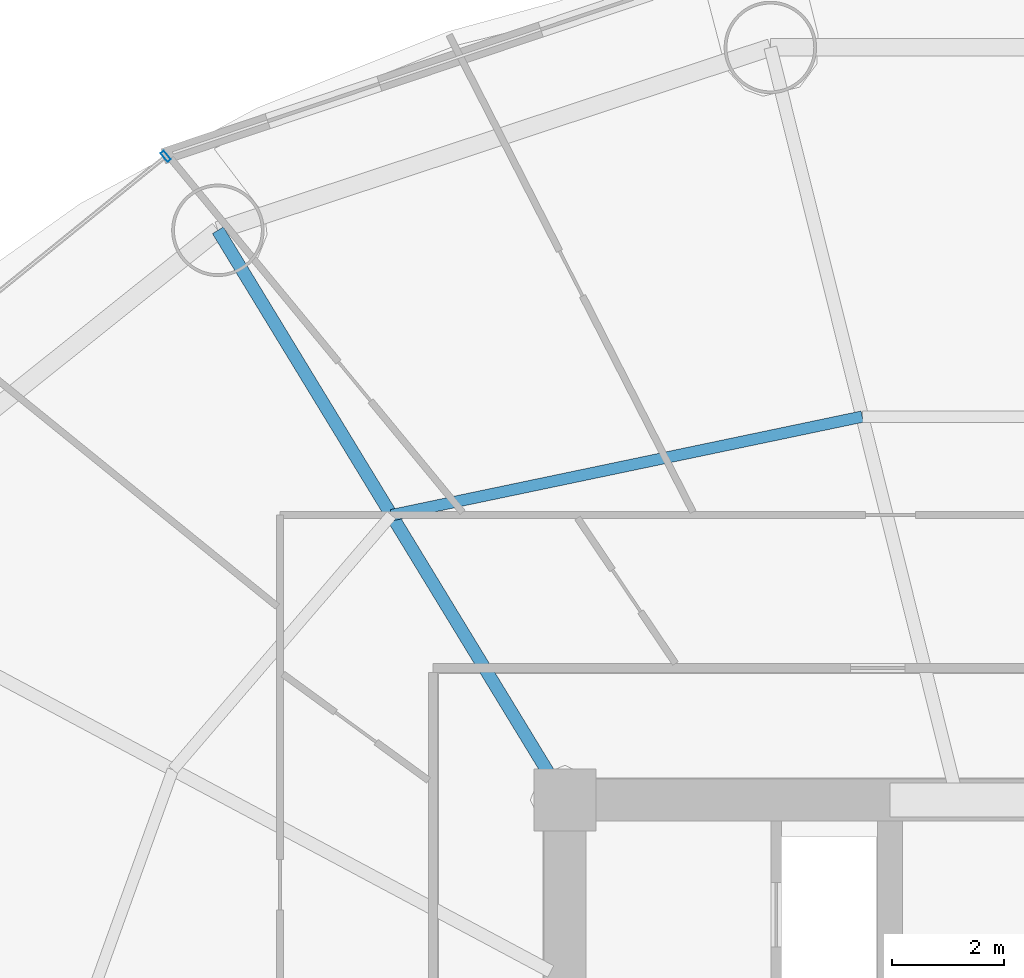
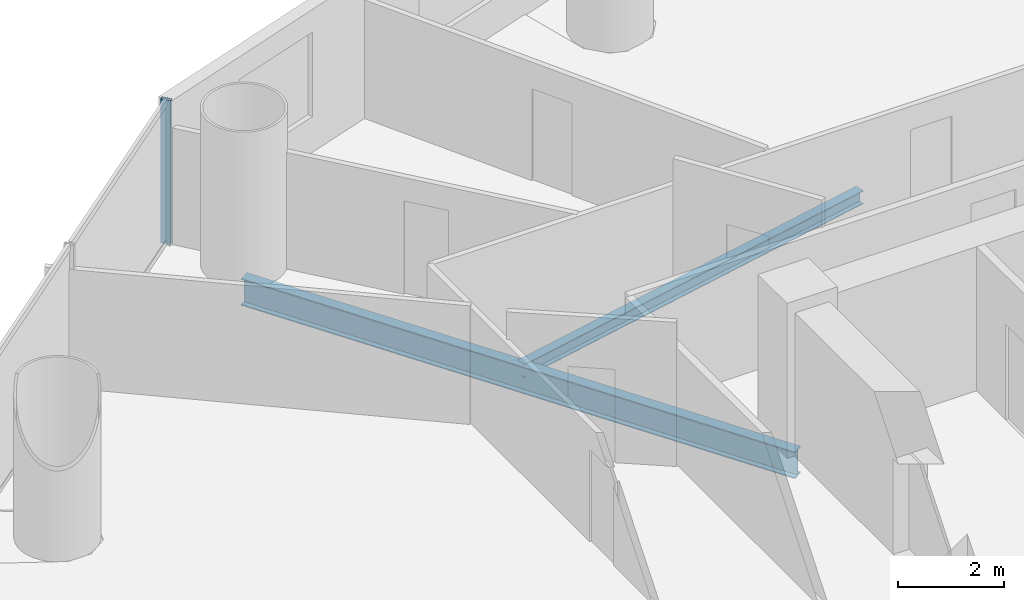
# One storey, part 16 of 30: 2 beams, 1 member, 1 element without a shape of its own.
"""IFC4 building model written with IfcOpenShell, lengths in metres."""

import ifcopenshell
import ifcopenshell.guid

model = None  # the IFC model being written
_history = None  # IfcOwnerHistory: only IFC2X3 demands one
_inside = {}  # id of a spatial element -> (the spatial element, [elements in it])
_under = {}  # id of a project, library or spatial element -> (it, [spatial elements below it])
_declared = {}  # id of a project -> (the project, [libraries it declares])
_typed = {}  # id of a type object -> (the type object, [elements of that type])
_made_of = {}  # id of a material, layer set ... -> (it, [elements and type objects made of it])


def new_model(schema):
    """Start an empty IFC model of exactly this schema.

    Asked for "IFC4X3", IfcOpenShell would pick the latest addendum, in which some entities
    have other attributes; the version numbers below select the first issue.
    IFC2X3 requires an IfcOwnerHistory on every rooted entity: one is made here for all.
    """
    global model, _history
    if schema == "IFC4X3":
        model = ifcopenshell.file(schema_version=(4, 3, 0, 0))
    else:
        model = ifcopenshell.file(schema=schema)
    _inside.clear()
    _under.clear()
    _declared.clear()
    _typed.clear()
    _made_of.clear()
    _history = None
    if model.schema == "IFC2X3":
        org = make("IfcOrganization", Name="unknown")
        user = make(
            "IfcPersonAndOrganization",
            ThePerson=make("IfcPerson", FamilyName="unknown"),
            TheOrganization=org,
        )
        app = make(
            "IfcApplication",
            ApplicationDeveloper=org,
            Version="unknown",
            ApplicationFullName="unknown",
            ApplicationIdentifier="unknown",
        )
        _history = make(
            "IfcOwnerHistory",
            OwningUser=user,
            OwningApplication=app,
            ChangeAction="ADDED",
            CreationDate=0,
        )
    return model


def make(cls, **values):
    """One entity of the class cls with the attributes given. An attribute that is None is left unset."""
    return model.create_entity(
        cls, **{name: value for name, value in values.items() if value is not None}
    )


def rooted(cls, **values):
    """An entity with a GlobalId (a new one), such as an element, a storey or a relation."""
    return make(cls, GlobalId=ifcopenshell.guid.new(), OwnerHistory=_history, **values)


def si_unit(unit_type, name, prefix=None):
    """IfcSIUnit, for example si_unit("LENGTHUNIT", "METRE", prefix="MILLI")."""
    return make("IfcSIUnit", UnitType=unit_type, Prefix=prefix, Name=name)


def assignment(units):
    """IfcUnitAssignment: the units of a project."""
    return None if units is None else make("IfcUnitAssignment", Units=units)


def point(xyz):
    """IfcCartesianPoint."""
    return None if xyz is None else make("IfcCartesianPoint", Coordinates=xyz)


def direction(xyz):
    """IfcDirection."""
    return None if xyz is None else make("IfcDirection", DirectionRatios=xyz)


def frame(location, z_axis=None, x_axis=None):
    """IfcAxis2Placement3D, a coordinate frame: its origin and axes. An axis left out is left unset."""
    return make(
        "IfcAxis2Placement3D",
        Location=point(location),
        Axis=direction(z_axis),
        RefDirection=direction(x_axis),
    )


def frame_2d(location, x_axis=None):
    """IfcAxis2Placement2D, a coordinate frame in the plane: its origin and x axis."""
    return make(
        "IfcAxis2Placement2D", Location=point(location), RefDirection=direction(x_axis)
    )


def origin():
    """The frame at (0, 0, 0) with its axes left unset."""
    return frame((0.0, 0.0, 0.0))


def origin_2d():
    """The frame at (0, 0) in the plane with its x axis left unset."""
    return frame_2d((0.0, 0.0))


def place(relative_to, where):
    """IfcLocalPlacement: puts the frame where relative to a parent placement (None: the world)."""
    return make(
        "IfcLocalPlacement", PlacementRelTo=relative_to, RelativePlacement=where
    )


def context(
    kind, dimensions, precision=None, world=None, true_north=None, identifier=None
):
    """IfcGeometricRepresentationContext, for example the 3D "Model" context."""
    return make(
        "IfcGeometricRepresentationContext",
        ContextIdentifier=identifier,
        ContextType=kind,
        CoordinateSpaceDimension=dimensions,
        Precision=precision,
        WorldCoordinateSystem=world,
        TrueNorth=true_north,
    )


def subcontext(parent, identifier, kind, view, scale=None):
    """IfcGeometricRepresentationSubContext, for example "Body" below "Model"."""
    return make(
        "IfcGeometricRepresentationSubContext",
        ContextIdentifier=identifier,
        ContextType=kind,
        ParentContext=parent,
        TargetScale=scale,
        TargetView=view,
    )


def project(units=None, contexts=None):
    """IfcProject with its units and contexts."""
    return rooted(
        "IfcProject",
        Name="project",
        RepresentationContexts=contexts,
        UnitsInContext=assignment(units),
    )


def spatial(cls, under=None, at=None, **own):
    """A site, building, storey or space (cls), placed at a placement, below another one or the project."""
    s = rooted(cls, ObjectPlacement=at, **own)
    if under is not None:
        _under.setdefault(under.id(), (under, []))[1].append(s)
    return s


def profile(cls, at=None, kind="AREA", **sizes):
    """A parametric profile (cls). Its sizes go by their IFC names, for example OverallWidth=200.0."""
    return make(cls, ProfileType=kind, Position=at, **sizes)


def hollow_rectangle(**sizes):
    """IfcRectangleHollowProfileDef."""
    return profile("IfcRectangleHollowProfileDef", **sizes)


def i_section(**sizes):
    """IfcIShapeProfileDef."""
    return profile("IfcIShapeProfileDef", **sizes)


def extrude(swept, where, along, depth):
    """IfcExtrudedAreaSolid: the profile swept, set in the frame where, extruded along a direction by depth."""
    return make(
        "IfcExtrudedAreaSolid",
        SweptArea=swept,
        Position=where,
        ExtrudedDirection=direction(along),
        Depth=depth,
    )


def shape(context_of_items, identifier, shape_type, items):
    """IfcShapeRepresentation: the items that make up one representation, for example the "Body"."""
    return make(
        "IfcShapeRepresentation",
        ContextOfItems=context_of_items,
        RepresentationIdentifier=identifier,
        RepresentationType=shape_type,
        Items=items,
    )


def source(mapping_origin, context_of_items, identifier, shape_type, items):
    """IfcRepresentationMap: a shape defined once, which mapped items show again and again."""
    return make(
        "IfcRepresentationMap",
        MappingOrigin=mapping_origin,
        MappedRepresentation=shape(context_of_items, identifier, shape_type, items),
    )


def transform(
    local_origin,
    x_axis=None,
    y_axis=None,
    z_axis=None,
    scale=None,
    scale2=None,
    scale3=None,
    uniform=True,
):
    """IfcCartesianTransformationOperator3D, or its non-uniform kind. x_axis, y_axis, z_axis: its Axis1, 2, 3."""
    if uniform:
        return make(
            "IfcCartesianTransformationOperator3D",
            Axis1=direction(x_axis),
            Axis2=direction(y_axis),
            LocalOrigin=point(local_origin),
            Scale=scale,
            Axis3=direction(z_axis),
        )
    return make(
        "IfcCartesianTransformationOperator3DnonUniform",
        Axis1=direction(x_axis),
        Axis2=direction(y_axis),
        LocalOrigin=point(local_origin),
        Scale=scale,
        Axis3=direction(z_axis),
        Scale2=scale2,
        Scale3=scale3,
    )


def mapped(mapping_source, mapping_target):
    """IfcMappedItem: shows the shape of a source again, moved by a transform."""
    return make(
        "IfcMappedItem", MappingSource=mapping_source, MappingTarget=mapping_target
    )


def material(Name=None, Category=None):
    """IfcMaterial."""
    return make("IfcMaterial", Name=Name, Category=Category)


def material_profile(
    of_material, cross_section, Name=None, Category=None, Priority=None
):
    """IfcMaterialProfile: a cross section and its material."""
    return make(
        "IfcMaterialProfile",
        Name=Name,
        Material=of_material,
        Profile=cross_section,
        Priority=Priority,
        Category=Category,
    )


def profile_set(profiles, Name=None, composite=None):
    """IfcMaterialProfileSet."""
    return make(
        "IfcMaterialProfileSet",
        Name=Name,
        MaterialProfiles=profiles,
        CompositeProfile=composite,
    )


def made_of(thing, what):
    """Note that an element or type object is made of a material, layer set ...; save() writes the relation."""
    if what is not None:
        _made_of.setdefault(what.id(), (what, []))[1].append(thing)
    return thing


def type_object(cls, material=None, **own):
    """A type object (cls), such as IfcWallType, which elements share."""
    return made_of(rooted(cls, **own), material)


def element(
    cls,
    number,
    at=None,
    inside=None,
    cuts=None,
    type_object=None,
    material=None,
    context=None,
    identifier="Body",
    shape_type=None,
    held_by="IfcProductDefinitionShape",
    body=None,
    shapes=None,
    **own,
):
    """One element of the class cls, such as IfcWall. Its Tag is "e" and its number.

    at: its placement. inside: the storey or other place that contains it. cuts: it is an
    opening in that element (IfcRelVoidsElement). A single representation is given by context,
    identifier, shape_type and body (its items); several are given by shapes. held_by: the class
    of the entity that holds the representations. save() writes the other relations.
    """
    e = rooted(cls, Tag="e%d" % number, ObjectPlacement=at, **own)
    if body is not None:
        shapes = [shape(context, identifier, shape_type, body)]
    if shapes is not None:
        e.Representation = make(held_by, Representations=shapes)
    if inside is not None:
        _inside.setdefault(inside.id(), (inside, []))[1].append(e)
    if cuts is not None:
        rooted(
            "IfcRelVoidsElement", RelatingBuildingElement=cuts, RelatedOpeningElement=e
        )
    if type_object is not None:
        _typed.setdefault(type_object.id(), (type_object, []))[1].append(e)
    return made_of(e, material)


def aggregate(whole, parts):
    """IfcRelAggregates: a whole, such as a stair, and the parts it consists of."""
    return rooted("IfcRelAggregates", RelatingObject=whole, RelatedObjects=parts)


def save(model, path):
    """Write the relations noted so far, then the file.

    IfcRelAggregates (storeys below a building ...), IfcRelContainedInSpatialStructure (elements
    in a storey), IfcRelDefinesByType, IfcRelAssociatesMaterial and IfcRelDeclares: one each for
    every whole, place, type object, material and project.
    """
    for whole, parts in _under.values():
        aggregate(whole, parts)
    for where, things in _inside.values():
        rooted(
            "IfcRelContainedInSpatialStructure",
            RelatedElements=things,
            RelatingStructure=where,
        )
    for kind, things in _typed.values():
        rooted("IfcRelDefinesByType", RelatedObjects=things, RelatingType=kind)
    for what, things in _made_of.values():
        rooted("IfcRelAssociatesMaterial", RelatedObjects=things, RelatingMaterial=what)
    for by, libraries in _declared.values():
        rooted("IfcRelDeclares", RelatingContext=by, RelatedDefinitions=libraries)
    model.write(path)


model = new_model("IFC4")

# Units and contexts
model_context = context("Model", 3, precision=1e-05, world=origin(), true_north=direction((-0.2419218956, 0.970295726276)))
body_context = subcontext(model_context, "Body", "Model", "MODEL_VIEW")
ifc_project = project(units=[si_unit("LENGTHUNIT", "METRE"), si_unit("AREAUNIT", "SQUARE_METRE"), si_unit("VOLUMEUNIT", "CUBIC_METRE"), si_unit("PLANEANGLEUNIT", "RADIAN"), si_unit("MASSUNIT", "GRAM", prefix="KILO")], contexts=[model_context])

# Site, building, storey
site_placement = place(None, origin())
site = spatial("IfcSite", under=ifc_project, at=site_placement, CompositionType="ELEMENT")
building_placement = place(site_placement, origin())
building = spatial("IfcBuilding", under=site, at=building_placement, Name="Cobrevalo Terracotta Tower", CompositionType="ELEMENT")
storey_placement = place(building_placement, frame((0.0, 0.0, 31.199951171875)))
storey = spatial("IfcBuildingStorey", under=building, at=storey_placement, Name="L07", CompositionType="ELEMENT", Elevation=31.199951171875)

# Beams
ifc_material_1 = material(Name="Steel S355", Category="steel")
ifc_material_profile_1 = material_profile(ifc_material_1, i_section(OverallWidth=0.22998046875, OverallDepth=0.616943359375, WebThickness=0.01318359375, FlangeThickness=0.022216796875, at=origin_2d()), Name="W 610x140")
ifc_profile_set_1 = profile_set([ifc_material_profile_1], Name="Steel S355")
beam_type_1 = type_object("IfcBeamType", Name="Structural Beam W 610x140 (Steel S355)", PredefinedType="BEAM", material=ifc_profile_set_1)
beam_1_placement = place(storey_placement, frame((22.80517578125, 44.967529296875, -0.58837890625), z_axis=(0.520309892051, -0.853977526773, 0.0), x_axis=(0.853977526773, 0.520309892051, 0.0)))
element("IfcBeam", 1, at=beam_1_placement, inside=storey, type_object=beam_type_1, Name="L07 radial floor girder 06", PredefinedType="BEAM", context=body_context, shape_type="SweptSolid", body=[
    extrude(i_section(OverallWidth=0.22998046875, OverallDepth=0.616943359375, WebThickness=0.01318359375, FlangeThickness=0.022216796875, at=origin_2d()), origin(), (0.0, 0.0, 1.0), 11.906005859375),
])
ifc_material_profile_2 = material_profile(ifc_material_1, i_section(OverallWidth=0.2041015625, OverallDepth=0.305908203125, WebThickness=0.008544921875, FlangeThickness=0.0146484375, at=origin_2d()), Name="W 310x67")
ifc_profile_set_2 = profile_set([ifc_material_profile_2], Name="Steel S355")
beam_type_2 = type_object("IfcBeamType", Name="Structural Joist W 310x67 (Steel S355)", PredefinedType="JOIST", material=ifc_profile_set_2)
beam_2_placement = place(storey_placement, frame((34.304443359375, 41.642578125, -0.432861328125), z_axis=(-0.978784523904, -0.204892302848, 0.0), x_axis=(0.204892302848, -0.978784523904, 0.0)))
element("IfcBeam", 2, at=beam_2_placement, inside=storey, type_object=beam_type_2, Name="L07 circumferential secondary floor joist 05", PredefinedType="JOIST", context=body_context, shape_type="SweptSolid", body=[
    extrude(i_section(OverallWidth=0.2041015625, OverallDepth=0.305908203125, WebThickness=0.008544921875, FlangeThickness=0.0146484375, at=origin_2d()), origin(), (0.0, 0.0, 1.0), 8.583984375),
])

# Curtain wall, member
ifc_material_2 = material(Name="Anodized aluminium", Category="aluminium")
curtain_wall_type = type_object("IfcCurtainWallType", Name="Lower-tower unitised acoustic low-E curtain wall CW-U1", PredefinedType="NOTDEFINED", material=ifc_material_2)
curtain_wall_placement = place(storey_placement, origin())
curtain_wall = element("IfcCurtainWall", 3, at=curtain_wall_placement, inside=storey, type_object=curtain_wall_type, Name="L07 curtain wall CW-L07-S06", PredefinedType="NOTDEFINED")
ifc_material_profile_3 = material_profile(ifc_material_2, hollow_rectangle(XDim=0.074951171875, YDim=0.199951171875, WallThickness=0.0048828125, at=origin_2d()), Name="CWM 75x200")
ifc_profile_set_3 = profile_set([ifc_material_profile_3], Name="Anodized aluminium")
member_type = type_object("IfcMemberType", Name="Lower/mid tower unitised mullion 75x200", PredefinedType="MULLION", material=ifc_profile_set_3)
shared_shape = source(origin(), body_context, "Body", "SweptSolid", [
    extrude(hollow_rectangle(XDim=0.074951171875, YDim=0.199951171875, WallThickness=0.0048828125, at=origin_2d()), origin(), (0.0, 0.0, 1.0), 3.320068359375),
])
member_placement = place(storey_placement, frame((21.8740234375, 46.289306640625, 0.0), z_axis=(0.0, 0.0, 1.0), x_axis=(-0.777003153187, -0.629496703675, 0.0)))
member = element("IfcMember", 4, at=member_placement, type_object=member_type, Name="CW-L07-S06 vertical mullion 01", PredefinedType="MULLION", context=body_context, shape_type="MappedRepresentation", body=[
    mapped(shared_shape, transform((0.0, 0.0, 0.0), scale=1.0)),
])
aggregate(curtain_wall, [member])

save(model, "model.ifc")
